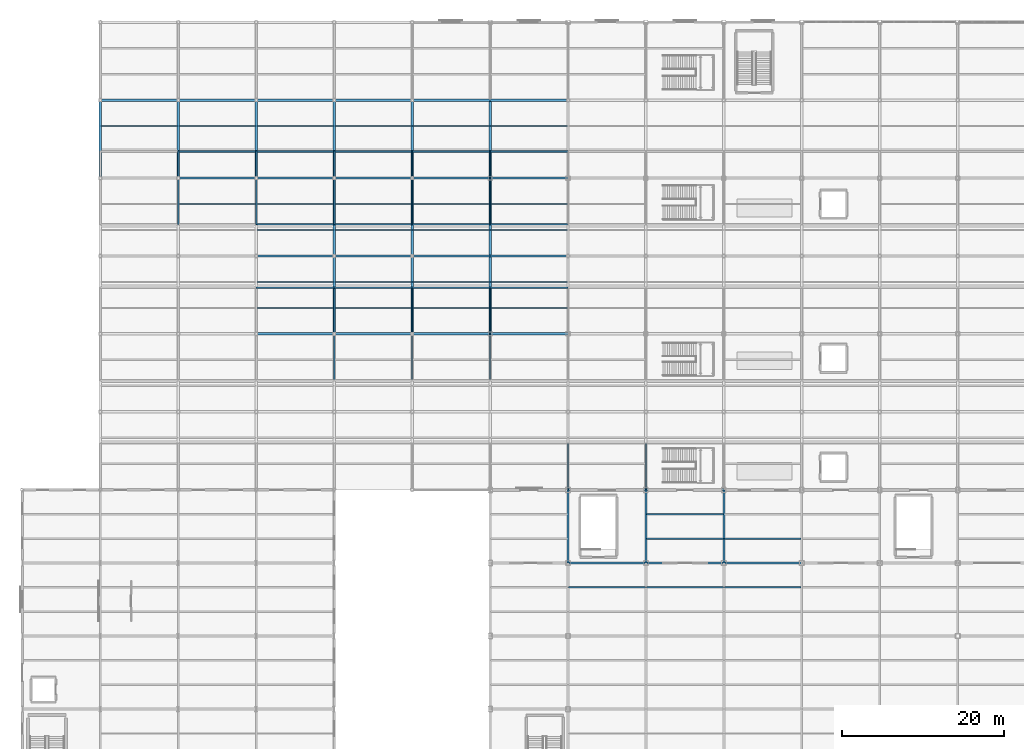
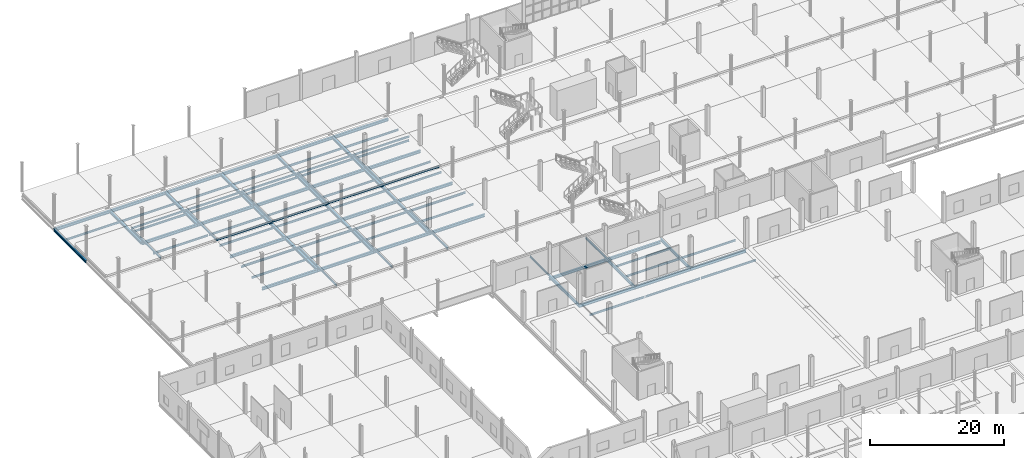
# One storey, part 30 of 85: 96 beams.
"""IFC4 building model written with IfcOpenShell, lengths in metres."""

from ifc_helpers import new_model, si_unit, direction, frame, origin, origin_2d, place, context, subcontext, project, spatial, i_section, extrude, material, material_profile, profile_set, type_object, element, save


model = new_model("IFC4")

# Units and contexts
model_context = context("Model", 3, precision=1e-05, world=origin(), true_north=direction((0.0, 1.0)))
body_context = subcontext(model_context, "Body", "Model", "MODEL_VIEW")
ifc_project = project(units=[si_unit("LENGTHUNIT", "METRE"), si_unit("AREAUNIT", "SQUARE_METRE"), si_unit("VOLUMEUNIT", "CUBIC_METRE"), si_unit("PLANEANGLEUNIT", "RADIAN"), si_unit("MASSUNIT", "GRAM", prefix="KILO")], contexts=[model_context])

# Site, building, storey
site_placement = place(None, origin())
site = spatial("IfcSite", under=ifc_project, at=site_placement, CompositionType="ELEMENT")
building_placement = place(site_placement, origin())
building = spatial("IfcBuilding", under=site, at=building_placement, Name="Zarnetskaya Central Station", CompositionType="ELEMENT")
storey_placement = place(building_placement, origin())
storey = spatial("IfcBuildingStorey", under=building, at=storey_placement, Name="L00", CompositionType="ELEMENT", Elevation=0.0)

# Beams
ifc_material = material(Name="Steel S355", Category="steel")
ifc_material_profile_1 = material_profile(ifc_material, i_section(OverallWidth=0.159912109375, OverallDepth=0.330078125, WebThickness=0.007568359375, FlangeThickness=0.011474609375, FilletRadius=0.01806640625, at=origin_2d()), Name="IPE 330")
ifc_profile_set_1 = profile_set([ifc_material_profile_1], Name="Steel S355")
beam_type_1 = type_object("IfcBeamType", Name="BM-SEC-330", PredefinedType="BEAM", material=ifc_profile_set_1)
for number, where, z_axis, x_axis, name in (
    (1, (67.199951171875, 67.199951171875, -0.465087890625), (0.0, 1.0, 0.0), (-1.0, 0.0, 0.0), "Platform transverse bearer GY-PLT-P1-H"),
    (2, (76.800048828125, 67.199951171875, -0.465087890625), (0.0, 1.0, 0.0), (-1.0, 0.0, 0.0), "Platform transverse bearer GY-PLT-P1-J"),
):
    element("IfcBeam", number, at=place(storey_placement, frame(where, z_axis=z_axis, x_axis=x_axis)), inside=storey, type_object=beam_type_1, Name=name, PredefinedType="BEAM", context=body_context, shape_type="SweptSolid", body=[
        extrude(i_section(OverallWidth=0.159912109375, OverallDepth=0.330078125, WebThickness=0.007568359375, FlangeThickness=0.011474609375, FilletRadius=0.01806640625, at=origin_2d()), origin(), (0.0, 0.0, 1.0), 5.699951171875),
    ])
for number, where, z_axis, x_axis, name in (
    (3, (38.39990234375, 80.699951171875, -0.455078125), (0.0, 1.0, 0.0), (-1.0, 0.0, 0.0), "Platform transverse bearer GY-PLT-P2-E"),
    (4, (48.0, 80.699951171875, -0.465087890625), (0.0, 1.0, 0.0), (-1.0, 0.0, 0.0), "Platform transverse bearer GY-PLT-P2-F"),
    (5, (57.60009765625, 80.699951171875, -0.465087890625), (0.0, 1.0, 0.0), (-1.0, 0.0, 0.0), "Platform transverse bearer GY-PLT-P2-G"),
):
    element("IfcBeam", number, at=place(storey_placement, frame(where, z_axis=z_axis, x_axis=x_axis)), inside=storey, type_object=beam_type_1, Name=name, PredefinedType="BEAM", context=body_context, shape_type="SweptSolid", body=[
        extrude(i_section(OverallWidth=0.159912109375, OverallDepth=0.330078125, WebThickness=0.007568359375, FlangeThickness=0.011474609375, FilletRadius=0.01806640625, at=origin_2d()), origin(), (0.0, 0.0, 1.0), 11.400146484375),
    ])
beam_1_placement = place(storey_placement, frame((28.800048828125, 92.10009765625, -0.455078125), z_axis=(1.0, 0.0, 0.0), x_axis=(0.0, 1.0, 0.0)))
element("IfcBeam", 6, at=beam_1_placement, inside=storey, type_object=beam_type_1, Name="Platform north edge beam GX-PLT-P2-DE-N", PredefinedType="BEAM", context=body_context, shape_type="SweptSolid", body=[
    extrude(i_section(OverallWidth=0.159912109375, OverallDepth=0.330078125, WebThickness=0.007568359375, FlangeThickness=0.011474609375, FilletRadius=0.01806640625, at=origin_2d()), origin(), (0.0, 0.0, 1.0), 9.599853515625),
])
for number, where, z_axis, x_axis, name in (
    (7, (38.39990234375, 92.10009765625, -0.455078125), (1.0, 0.0, 0.0), (0.0, 1.0, 0.0), "Platform north edge beam GX-PLT-P2-EF-N"),
    (8, (48.0, 92.10009765625, -0.465087890625), (1.0, 0.0, 0.0), (0.0, 1.0, 0.0), "Platform north edge beam GX-PLT-P2-FG-N"),
):
    element("IfcBeam", number, at=place(storey_placement, frame(where, z_axis=z_axis, x_axis=x_axis)), inside=storey, type_object=beam_type_1, Name=name, PredefinedType="BEAM", context=body_context, shape_type="SweptSolid", body=[
        extrude(i_section(OverallWidth=0.159912109375, OverallDepth=0.330078125, WebThickness=0.007568359375, FlangeThickness=0.011474609375, FilletRadius=0.01806640625, at=origin_2d()), origin(), (0.0, 0.0, 1.0), 9.60009765625),
    ])
beam_2_placement = place(storey_placement, frame((57.60009765625, 92.10009765625, -0.465087890625), z_axis=(1.0, 0.0, 0.0), x_axis=(0.0, 1.0, 0.0)))
element("IfcBeam", 9, at=beam_2_placement, inside=storey, type_object=beam_type_1, Name="Platform north edge beam GX-PLT-P2-GH-N", PredefinedType="BEAM", context=body_context, shape_type="SweptSolid", body=[
    extrude(i_section(OverallWidth=0.159912109375, OverallDepth=0.330078125, WebThickness=0.007568359375, FlangeThickness=0.011474609375, FilletRadius=0.01806640625, at=origin_2d()), origin(), (0.0, 0.0, 1.0), 9.599853515625),
])
for number, where, z_axis, x_axis, name in (
    (10, (19.199951171875, 99.89990234375, -0.455078125), (0.0, 1.0, 0.0), (-1.0, 0.0, 0.0), "Platform transverse bearer GY-PLT-P3-C"),
    (11, (28.800048828125, 99.89990234375, -0.455078125), (0.0, 1.0, 0.0), (-1.0, 0.0, 0.0), "Platform transverse bearer GY-PLT-P3-D"),
    (12, (38.39990234375, 99.89990234375, -0.455078125), (0.0, 1.0, 0.0), (-1.0, 0.0, 0.0), "Platform transverse bearer GY-PLT-P3-E"),
    (13, (48.0, 99.89990234375, -0.465087890625), (0.0, 1.0, 0.0), (-1.0, 0.0, 0.0), "Platform transverse bearer GY-PLT-P3-F"),
    (14, (57.60009765625, 99.89990234375, -0.465087890625), (0.0, 1.0, 0.0), (-1.0, 0.0, 0.0), "Platform transverse bearer GY-PLT-P3-G"),
):
    element("IfcBeam", number, at=place(storey_placement, frame(where, z_axis=z_axis, x_axis=x_axis)), inside=storey, type_object=beam_type_1, Name=name, PredefinedType="BEAM", context=body_context, shape_type="SweptSolid", body=[
        extrude(i_section(OverallWidth=0.159912109375, OverallDepth=0.330078125, WebThickness=0.007568359375, FlangeThickness=0.011474609375, FilletRadius=0.01806640625, at=origin_2d()), origin(), (0.0, 0.0, 1.0), 9.0),
    ])
beam_3_placement = place(storey_placement, frame((19.199951171875, 108.89990234375, -0.455078125), z_axis=(1.0, 0.0, 0.0), x_axis=(0.0, 1.0, 0.0)))
element("IfcBeam", 15, at=beam_3_placement, inside=storey, type_object=beam_type_1, Name="Platform north edge beam GX-PLT-P3-CD-N", PredefinedType="BEAM", context=body_context, shape_type="SweptSolid", body=[
    extrude(i_section(OverallWidth=0.159912109375, OverallDepth=0.330078125, WebThickness=0.007568359375, FlangeThickness=0.011474609375, FilletRadius=0.01806640625, at=origin_2d()), origin(), (0.0, 0.0, 1.0), 9.60009765625),
])
for number, where, z_axis, x_axis, name in (
    (16, (28.800048828125, 99.89990234375, -0.455078125), (1.0, 0.0, 0.0), (0.0, 1.0, 0.0), "Platform south edge beam GX-PLT-P3-DE-S"),
    (17, (28.800048828125, 108.89990234375, -0.455078125), (1.0, 0.0, 0.0), (0.0, 1.0, 0.0), "Platform north edge beam GX-PLT-P3-DE-N"),
):
    element("IfcBeam", number, at=place(storey_placement, frame(where, z_axis=z_axis, x_axis=x_axis)), inside=storey, type_object=beam_type_1, Name=name, PredefinedType="BEAM", context=body_context, shape_type="SweptSolid", body=[
        extrude(i_section(OverallWidth=0.159912109375, OverallDepth=0.330078125, WebThickness=0.007568359375, FlangeThickness=0.011474609375, FilletRadius=0.01806640625, at=origin_2d()), origin(), (0.0, 0.0, 1.0), 9.599853515625),
    ])
for number, where, z_axis, x_axis, name in (
    (18, (38.39990234375, 99.89990234375, -0.455078125), (1.0, 0.0, 0.0), (0.0, 1.0, 0.0), "Platform south edge beam GX-PLT-P3-EF-S"),
    (19, (38.39990234375, 108.89990234375, -0.455078125), (1.0, 0.0, 0.0), (0.0, 1.0, 0.0), "Platform north edge beam GX-PLT-P3-EF-N"),
    (20, (48.0, 99.89990234375, -0.465087890625), (1.0, 0.0, 0.0), (0.0, 1.0, 0.0), "Platform south edge beam GX-PLT-P3-FG-S"),
    (21, (48.0, 108.89990234375, -0.465087890625), (1.0, 0.0, 0.0), (0.0, 1.0, 0.0), "Platform north edge beam GX-PLT-P3-FG-N"),
):
    element("IfcBeam", number, at=place(storey_placement, frame(where, z_axis=z_axis, x_axis=x_axis)), inside=storey, type_object=beam_type_1, Name=name, PredefinedType="BEAM", context=body_context, shape_type="SweptSolid", body=[
        extrude(i_section(OverallWidth=0.159912109375, OverallDepth=0.330078125, WebThickness=0.007568359375, FlangeThickness=0.011474609375, FilletRadius=0.01806640625, at=origin_2d()), origin(), (0.0, 0.0, 1.0), 9.60009765625),
    ])
for number, where, z_axis, x_axis, name in (
    (22, (57.60009765625, 99.89990234375, -0.465087890625), (1.0, 0.0, 0.0), (0.0, 1.0, 0.0), "Platform south edge beam GX-PLT-P3-GH-S"),
    (23, (57.60009765625, 108.89990234375, -0.465087890625), (1.0, 0.0, 0.0), (0.0, 1.0, 0.0), "Platform north edge beam GX-PLT-P3-GH-N"),
):
    element("IfcBeam", number, at=place(storey_placement, frame(where, z_axis=z_axis, x_axis=x_axis)), inside=storey, type_object=beam_type_1, Name=name, PredefinedType="BEAM", context=body_context, shape_type="SweptSolid", body=[
        extrude(i_section(OverallWidth=0.159912109375, OverallDepth=0.330078125, WebThickness=0.007568359375, FlangeThickness=0.011474609375, FilletRadius=0.01806640625, at=origin_2d()), origin(), (0.0, 0.0, 1.0), 9.599853515625),
    ])
ifc_material_profile_2 = material_profile(ifc_material, i_section(OverallWidth=0.169921875, OverallDepth=0.360107421875, WebThickness=0.008056640625, FlangeThickness=0.0126953125, FilletRadius=0.01806640625, at=origin_2d()), Name="IPE 360")
ifc_profile_set_2 = profile_set([ifc_material_profile_2], Name="Steel S355")
beam_type_2 = type_object("IfcBeamType", Name="BM-SEC-360", PredefinedType="BEAM", material=ifc_profile_set_2)
beam_4_placement = place(storey_placement, frame((67.280029296875, 55.199951171875, -0.5), z_axis=(1.0, 0.0, 0.0), x_axis=(0.0, 1.0, 0.0)))
element("IfcBeam", 24, at=beam_4_placement, inside=storey, type_object=beam_type_2, Name="Secondary floor beam SEC-L00-Z32-HJ-78-2", PredefinedType="BEAM", context=body_context, shape_type="SweptSolid", body=[
    extrude(i_section(OverallWidth=0.169921875, OverallDepth=0.360107421875, WebThickness=0.008056640625, FlangeThickness=0.0126953125, FilletRadius=0.01806640625, at=origin_2d()), origin(), (0.0, 0.0, 1.0), 9.43994140625),
])
for number, where, z_axis, x_axis, name in (
    (25, (76.8798828125, 55.199951171875, -0.5), (1.0, 0.0, 0.0), (0.0, 1.0, 0.0), "Secondary floor beam SEC-L00-Z32-JK-78-2"),
    (26, (76.8798828125, 61.199951171875, -0.5), (1.0, 0.0, 0.0), (0.0, 1.0, 0.0), "Secondary floor beam SEC-L00-Z32-JK-89-1"),
    (27, (76.8798828125, 64.199951171875, -0.5), (1.0, 0.0, 0.0), (0.0, 1.0, 0.0), "Secondary floor beam SEC-L00-Z32-JK-89-2"),
):
    element("IfcBeam", number, at=place(storey_placement, frame(where, z_axis=z_axis, x_axis=x_axis)), inside=storey, type_object=beam_type_2, Name=name, PredefinedType="BEAM", context=body_context, shape_type="SweptSolid", body=[
        extrude(i_section(OverallWidth=0.169921875, OverallDepth=0.360107421875, WebThickness=0.008056640625, FlangeThickness=0.0126953125, FilletRadius=0.01806640625, at=origin_2d()), origin(), (0.0, 0.0, 1.0), 9.440185546875),
    ])
for number, where, z_axis, x_axis, name in (
    (28, (86.47998046875, 55.199951171875, -0.5), (1.0, 0.0, 0.0), (0.0, 1.0, 0.0), "Secondary floor beam SEC-L00-Z32-KL-78-2"),
    (29, (86.47998046875, 61.199951171875, -0.5), (1.0, 0.0, 0.0), (0.0, 1.0, 0.0), "Secondary floor beam SEC-L00-Z32-KL-89-1"),
):
    element("IfcBeam", number, at=place(storey_placement, frame(where, z_axis=z_axis, x_axis=x_axis)), inside=storey, type_object=beam_type_2, Name=name, PredefinedType="BEAM", context=body_context, shape_type="SweptSolid", body=[
        extrude(i_section(OverallWidth=0.169921875, OverallDepth=0.360107421875, WebThickness=0.008056640625, FlangeThickness=0.0126953125, FilletRadius=0.01806640625, at=origin_2d()), origin(), (0.0, 0.0, 1.0), 9.43994140625),
    ])
beam_5_placement = place(storey_placement, frame((9.679931640625, 112.0, -1.090087890625), z_axis=(1.0, 0.0, 0.0), x_axis=(0.0, 1.0, 0.0)))
element("IfcBeam", 30, at=beam_5_placement, inside=storey, type_object=beam_type_2, Name="Secondary floor beam SEC-L00-Z91-BC-1314-2", PredefinedType="BEAM", context=body_context, shape_type="SweptSolid", body=[
    extrude(i_section(OverallWidth=0.169921875, OverallDepth=0.360107421875, WebThickness=0.008056640625, FlangeThickness=0.0126953125, FilletRadius=0.01806640625, at=origin_2d()), origin(), (0.0, 0.0, 1.0), 9.440185546875),
])
for number, where, z_axis, x_axis, name in (
    (31, (19.280029296875, 102.39990234375, -1.090087890625), (1.0, 0.0, 0.0), (0.0, 1.0, 0.0), "Secondary floor beam SEC-L00-Z91-CD-1213-2"),
    (32, (19.280029296875, 108.800048828125, -1.090087890625), (1.0, 0.0, 0.0), (0.0, 1.0, 0.0), "Secondary floor beam SEC-L00-Z91-CD-1314-1"),
    (33, (19.280029296875, 112.0, -1.090087890625), (1.0, 0.0, 0.0), (0.0, 1.0, 0.0), "Secondary floor beam SEC-L00-Z91-CD-1314-2"),
):
    element("IfcBeam", number, at=place(storey_placement, frame(where, z_axis=z_axis, x_axis=x_axis)), inside=storey, type_object=beam_type_2, Name=name, PredefinedType="BEAM", context=body_context, shape_type="SweptSolid", body=[
        extrude(i_section(OverallWidth=0.169921875, OverallDepth=0.360107421875, WebThickness=0.008056640625, FlangeThickness=0.0126953125, FilletRadius=0.01806640625, at=origin_2d()), origin(), (0.0, 0.0, 1.0), 9.43994140625),
    ])
for number, where, z_axis, x_axis, name in (
    (34, (28.8798828125, 89.60009765625, -1.090087890625), (1.0, 0.0, 0.0), (0.0, 1.0, 0.0), "Secondary floor beam SEC-L00-Z91-DE-1112-1"),
    (35, (28.8798828125, 92.800048828125, -1.090087890625), (1.0, 0.0, 0.0), (0.0, 1.0, 0.0), "Secondary floor beam SEC-L00-Z91-DE-1112-2"),
    (36, (28.8798828125, 99.199951171875, -1.090087890625), (1.0, 0.0, 0.0), (0.0, 1.0, 0.0), "Secondary floor beam SEC-L00-Z91-DE-1213-1"),
    (37, (28.8798828125, 102.39990234375, -1.090087890625), (1.0, 0.0, 0.0), (0.0, 1.0, 0.0), "Secondary floor beam SEC-L00-Z91-DE-1213-2"),
    (38, (28.8798828125, 108.800048828125, -1.090087890625), (1.0, 0.0, 0.0), (0.0, 1.0, 0.0), "Secondary floor beam SEC-L00-Z91-DE-1314-1"),
    (39, (28.8798828125, 112.0, -1.090087890625), (1.0, 0.0, 0.0), (0.0, 1.0, 0.0), "Secondary floor beam SEC-L00-Z91-DE-1314-2"),
):
    element("IfcBeam", number, at=place(storey_placement, frame(where, z_axis=z_axis, x_axis=x_axis)), inside=storey, type_object=beam_type_2, Name=name, PredefinedType="BEAM", context=body_context, shape_type="SweptSolid", body=[
        extrude(i_section(OverallWidth=0.169921875, OverallDepth=0.360107421875, WebThickness=0.008056640625, FlangeThickness=0.0126953125, FilletRadius=0.01806640625, at=origin_2d()), origin(), (0.0, 0.0, 1.0), 9.440185546875),
    ])
for number, where, z_axis, x_axis, name in (
    (40, (38.47998046875, 89.60009765625, -1.090087890625), (1.0, 0.0, 0.0), (0.0, 1.0, 0.0), "Secondary floor beam SEC-L00-Z91-EF-1112-1"),
    (41, (38.47998046875, 92.800048828125, -1.090087890625), (1.0, 0.0, 0.0), (0.0, 1.0, 0.0), "Secondary floor beam SEC-L00-Z91-EF-1112-2"),
    (42, (38.47998046875, 99.199951171875, -1.090087890625), (1.0, 0.0, 0.0), (0.0, 1.0, 0.0), "Secondary floor beam SEC-L00-Z91-EF-1213-1"),
    (43, (38.47998046875, 102.39990234375, -1.090087890625), (1.0, 0.0, 0.0), (0.0, 1.0, 0.0), "Secondary floor beam SEC-L00-Z91-EF-1213-2"),
    (44, (38.47998046875, 108.800048828125, -1.090087890625), (1.0, 0.0, 0.0), (0.0, 1.0, 0.0), "Secondary floor beam SEC-L00-Z91-EF-1314-1"),
    (45, (38.47998046875, 112.0, -1.090087890625), (1.0, 0.0, 0.0), (0.0, 1.0, 0.0), "Secondary floor beam SEC-L00-Z91-EF-1314-2"),
    (46, (48.080078125, 89.60009765625, -1.090087890625), (1.0, 0.0, 0.0), (0.0, 1.0, 0.0), "Secondary floor beam SEC-L00-Z91-FG-1112-1"),
    (47, (48.080078125, 92.800048828125, -1.090087890625), (1.0, 0.0, 0.0), (0.0, 1.0, 0.0), "Secondary floor beam SEC-L00-Z91-FG-1112-2"),
    (48, (48.080078125, 99.199951171875, -1.090087890625), (1.0, 0.0, 0.0), (0.0, 1.0, 0.0), "Secondary floor beam SEC-L00-Z91-FG-1213-1"),
    (49, (48.080078125, 102.39990234375, -1.090087890625), (1.0, 0.0, 0.0), (0.0, 1.0, 0.0), "Secondary floor beam SEC-L00-Z91-FG-1213-2"),
    (50, (48.080078125, 108.800048828125, -1.090087890625), (1.0, 0.0, 0.0), (0.0, 1.0, 0.0), "Secondary floor beam SEC-L00-Z91-FG-1314-1"),
    (51, (48.080078125, 112.0, -1.090087890625), (1.0, 0.0, 0.0), (0.0, 1.0, 0.0), "Secondary floor beam SEC-L00-Z91-FG-1314-2"),
):
    element("IfcBeam", number, at=place(storey_placement, frame(where, z_axis=z_axis, x_axis=x_axis)), inside=storey, type_object=beam_type_2, Name=name, PredefinedType="BEAM", context=body_context, shape_type="SweptSolid", body=[
        extrude(i_section(OverallWidth=0.169921875, OverallDepth=0.360107421875, WebThickness=0.008056640625, FlangeThickness=0.0126953125, FilletRadius=0.01806640625, at=origin_2d()), origin(), (0.0, 0.0, 1.0), 9.43994140625),
    ])
for number, where, z_axis, x_axis, name in (
    (52, (57.679931640625, 89.60009765625, -1.090087890625), (1.0, 0.0, 0.0), (0.0, 1.0, 0.0), "Secondary floor beam SEC-L00-Z91-GH-1112-1"),
    (53, (57.679931640625, 92.800048828125, -1.090087890625), (1.0, 0.0, 0.0), (0.0, 1.0, 0.0), "Secondary floor beam SEC-L00-Z91-GH-1112-2"),
    (54, (57.679931640625, 99.199951171875, -1.090087890625), (1.0, 0.0, 0.0), (0.0, 1.0, 0.0), "Secondary floor beam SEC-L00-Z91-GH-1213-1"),
    (55, (57.679931640625, 102.39990234375, -1.090087890625), (1.0, 0.0, 0.0), (0.0, 1.0, 0.0), "Secondary floor beam SEC-L00-Z91-GH-1213-2"),
    (56, (57.679931640625, 108.800048828125, -1.090087890625), (1.0, 0.0, 0.0), (0.0, 1.0, 0.0), "Secondary floor beam SEC-L00-Z91-GH-1314-1"),
    (57, (57.679931640625, 112.0, -1.090087890625), (1.0, 0.0, 0.0), (0.0, 1.0, 0.0), "Secondary floor beam SEC-L00-Z91-GH-1314-2"),
):
    element("IfcBeam", number, at=place(storey_placement, frame(where, z_axis=z_axis, x_axis=x_axis)), inside=storey, type_object=beam_type_2, Name=name, PredefinedType="BEAM", context=body_context, shape_type="SweptSolid", body=[
        extrude(i_section(OverallWidth=0.169921875, OverallDepth=0.360107421875, WebThickness=0.008056640625, FlangeThickness=0.0126953125, FilletRadius=0.01806640625, at=origin_2d()), origin(), (0.0, 0.0, 1.0), 9.440185546875),
    ])
ifc_material_profile_3 = material_profile(ifc_material, i_section(OverallWidth=0.2099609375, OverallDepth=0.550048828125, WebThickness=0.010986328125, FlangeThickness=0.01708984375, FilletRadius=0.02392578125, at=origin_2d()), Name="IPE 550")
ifc_profile_set_3 = profile_set([ifc_material_profile_3], Name="Steel S355")
beam_type_3 = type_object("IfcBeamType", Name="GD-FLR-550", PredefinedType="USERDEFINED", material=ifc_profile_set_3)
for number, where, z_axis, x_axis, name in (
    (58, (67.199951171875, 58.199951171875, -0.594970703125), (0.0, 1.0, 0.0), (-1.0, 0.0, 0.0), "Grid girder GY-L00-H-89"),
    (59, (76.800048828125, 58.199951171875, -0.594970703125), (0.0, 1.0, 0.0), (-1.0, 0.0, 0.0), "Grid girder GY-L00-J-89"),
    (60, (86.39990234375, 58.199951171875, -0.594970703125), (0.0, 1.0, 0.0), (-1.0, 0.0, 0.0), "Grid girder GY-L00-K-89"),
):
    element("IfcBeam", number, at=place(storey_placement, frame(where, z_axis=z_axis, x_axis=x_axis)), inside=storey, type_object=beam_type_3, Name=name, ObjectType="GIRDER", PredefinedType="USERDEFINED", context=body_context, shape_type="SweptSolid", body=[
        extrude(i_section(OverallWidth=0.2099609375, OverallDepth=0.550048828125, WebThickness=0.010986328125, FlangeThickness=0.01708984375, FilletRadius=0.02392578125, at=origin_2d()), origin(), (0.0, 0.0, 1.0), 9.0),
    ])
ifc_material_profile_4 = material_profile(ifc_material, i_section(OverallWidth=0.219970703125, OverallDepth=0.60009765625, WebThickness=0.011962890625, FlangeThickness=0.01904296875, FilletRadius=0.02392578125, at=origin_2d()), Name="IPE 600")
ifc_profile_set_4 = profile_set([ifc_material_profile_4], Name="Steel S355")
beam_type_4 = type_object("IfcBeamType", Name="GD-FLR-600", PredefinedType="USERDEFINED", material=ifc_profile_set_4)
beam_6_placement = place(storey_placement, frame((67.199951171875, 58.199951171875, -0.6201171875), z_axis=(1.0, 0.0, 0.0), x_axis=(0.0, 1.0, 0.0)))
element("IfcBeam", 61, at=beam_6_placement, inside=storey, type_object=beam_type_4, Name="Grid girder GX-L00-8-HJ", ObjectType="GIRDER", PredefinedType="USERDEFINED", context=body_context, shape_type="SweptSolid", body=[
    extrude(i_section(OverallWidth=0.219970703125, OverallDepth=0.60009765625, WebThickness=0.011962890625, FlangeThickness=0.01904296875, FilletRadius=0.02392578125, at=origin_2d()), origin(), (0.0, 0.0, 1.0), 9.60009765625),
])
beam_7_placement = place(storey_placement, frame((76.800048828125, 58.199951171875, -0.6201171875), z_axis=(1.0, 0.0, 0.0), x_axis=(0.0, 1.0, 0.0)))
element("IfcBeam", 62, at=beam_7_placement, inside=storey, type_object=beam_type_4, Name="Grid girder GX-L00-8-JK", ObjectType="GIRDER", PredefinedType="USERDEFINED", context=body_context, shape_type="SweptSolid", body=[
    extrude(i_section(OverallWidth=0.219970703125, OverallDepth=0.60009765625, WebThickness=0.011962890625, FlangeThickness=0.01904296875, FilletRadius=0.02392578125, at=origin_2d()), origin(), (0.0, 0.0, 1.0), 9.599853515625),
])
beam_8_placement = place(storey_placement, frame((86.39990234375, 58.199951171875, -0.6201171875), z_axis=(1.0, 0.0, 0.0), x_axis=(0.0, 1.0, 0.0)))
element("IfcBeam", 63, at=beam_8_placement, inside=storey, type_object=beam_type_4, Name="Grid girder GX-L00-8-KL", ObjectType="GIRDER", PredefinedType="USERDEFINED", context=body_context, shape_type="SweptSolid", body=[
    extrude(i_section(OverallWidth=0.219970703125, OverallDepth=0.60009765625, WebThickness=0.011962890625, FlangeThickness=0.01904296875, FilletRadius=0.02392578125, at=origin_2d()), origin(), (0.0, 0.0, 1.0), 9.60009765625),
])
ifc_material_profile_5 = material_profile(ifc_material, i_section(OverallWidth=0.300048828125, OverallDepth=0.449951171875, WebThickness=0.013916015625, FlangeThickness=0.02587890625, FilletRadius=0.027099609375, at=origin_2d()), Name="HEB 450")
ifc_profile_set_5 = profile_set([ifc_material_profile_5], Name="Steel S355")
beam_type_5 = type_object("IfcBeamType", Name="GD-SUB-450", PredefinedType="USERDEFINED", material=ifc_profile_set_5)
for number, where, z_axis, x_axis, name in (
    (64, (9.60009765625, 105.60009765625, -1.135009765625), (0.0, 1.0, 0.0), (-1.0, 0.0, 0.0), "Grid girder GY-L00-B-1314"),
    (65, (19.199951171875, 105.60009765625, -1.135009765625), (0.0, 1.0, 0.0), (-1.0, 0.0, 0.0), "Grid girder GY-L00-C-1314"),
    (66, (28.800048828125, 105.60009765625, -1.135009765625), (0.0, 1.0, 0.0), (-1.0, 0.0, 0.0), "Grid girder GY-L00-D-1314"),
):
    element("IfcBeam", number, at=place(storey_placement, frame(where, z_axis=z_axis, x_axis=x_axis)), inside=storey, type_object=beam_type_5, Name=name, ObjectType="GIRDER", PredefinedType="USERDEFINED", context=body_context, shape_type="SweptSolid", body=[
        extrude(i_section(OverallWidth=0.300048828125, OverallDepth=0.449951171875, WebThickness=0.013916015625, FlangeThickness=0.02587890625, FilletRadius=0.027099609375, at=origin_2d()), origin(), (0.0, 0.0, 1.0), 9.599853515625),
    ])
for number, where, z_axis, x_axis, name in (
    (67, (38.39990234375, 86.39990234375, -1.135009765625), (0.0, 1.0, 0.0), (-1.0, 0.0, 0.0), "Grid girder GY-L00-E-1112"),
    (68, (38.39990234375, 96.0, -1.135009765625), (0.0, 1.0, 0.0), (-1.0, 0.0, 0.0), "Grid girder GY-L00-E-1213"),
):
    element("IfcBeam", number, at=place(storey_placement, frame(where, z_axis=z_axis, x_axis=x_axis)), inside=storey, type_object=beam_type_5, Name=name, ObjectType="GIRDER", PredefinedType="USERDEFINED", context=body_context, shape_type="SweptSolid", body=[
        extrude(i_section(OverallWidth=0.300048828125, OverallDepth=0.449951171875, WebThickness=0.013916015625, FlangeThickness=0.02587890625, FilletRadius=0.027099609375, at=origin_2d()), origin(), (0.0, 0.0, 1.0), 9.60009765625),
    ])
beam_9_placement = place(storey_placement, frame((38.39990234375, 105.60009765625, -1.135009765625), z_axis=(0.0, 1.0, 0.0), x_axis=(-1.0, 0.0, 0.0)))
element("IfcBeam", 69, at=beam_9_placement, inside=storey, type_object=beam_type_5, Name="Grid girder GY-L00-E-1314", ObjectType="GIRDER", PredefinedType="USERDEFINED", context=body_context, shape_type="SweptSolid", body=[
    extrude(i_section(OverallWidth=0.300048828125, OverallDepth=0.449951171875, WebThickness=0.013916015625, FlangeThickness=0.02587890625, FilletRadius=0.027099609375, at=origin_2d()), origin(), (0.0, 0.0, 1.0), 9.599853515625),
])
for number, where, z_axis, x_axis, name in (
    (70, (48.0, 86.39990234375, -1.135009765625), (0.0, 1.0, 0.0), (-1.0, 0.0, 0.0), "Grid girder GY-L00-F-1112"),
    (71, (48.0, 96.0, -1.135009765625), (0.0, 1.0, 0.0), (-1.0, 0.0, 0.0), "Grid girder GY-L00-F-1213"),
):
    element("IfcBeam", number, at=place(storey_placement, frame(where, z_axis=z_axis, x_axis=x_axis)), inside=storey, type_object=beam_type_5, Name=name, ObjectType="GIRDER", PredefinedType="USERDEFINED", context=body_context, shape_type="SweptSolid", body=[
        extrude(i_section(OverallWidth=0.300048828125, OverallDepth=0.449951171875, WebThickness=0.013916015625, FlangeThickness=0.02587890625, FilletRadius=0.027099609375, at=origin_2d()), origin(), (0.0, 0.0, 1.0), 9.60009765625),
    ])
beam_10_placement = place(storey_placement, frame((48.0, 105.60009765625, -1.135009765625), z_axis=(0.0, 1.0, 0.0), x_axis=(-1.0, 0.0, 0.0)))
element("IfcBeam", 72, at=beam_10_placement, inside=storey, type_object=beam_type_5, Name="Grid girder GY-L00-F-1314", ObjectType="GIRDER", PredefinedType="USERDEFINED", context=body_context, shape_type="SweptSolid", body=[
    extrude(i_section(OverallWidth=0.300048828125, OverallDepth=0.449951171875, WebThickness=0.013916015625, FlangeThickness=0.02587890625, FilletRadius=0.027099609375, at=origin_2d()), origin(), (0.0, 0.0, 1.0), 9.599853515625),
])
for number, where, z_axis, x_axis, name in (
    (73, (57.60009765625, 86.39990234375, -1.135009765625), (0.0, 1.0, 0.0), (-1.0, 0.0, 0.0), "Grid girder GY-L00-G-1112"),
    (74, (57.60009765625, 96.0, -1.135009765625), (0.0, 1.0, 0.0), (-1.0, 0.0, 0.0), "Grid girder GY-L00-G-1213"),
):
    element("IfcBeam", number, at=place(storey_placement, frame(where, z_axis=z_axis, x_axis=x_axis)), inside=storey, type_object=beam_type_5, Name=name, ObjectType="GIRDER", PredefinedType="USERDEFINED", context=body_context, shape_type="SweptSolid", body=[
        extrude(i_section(OverallWidth=0.300048828125, OverallDepth=0.449951171875, WebThickness=0.013916015625, FlangeThickness=0.02587890625, FilletRadius=0.027099609375, at=origin_2d()), origin(), (0.0, 0.0, 1.0), 9.60009765625),
    ])
beam_11_placement = place(storey_placement, frame((57.60009765625, 105.60009765625, -1.135009765625), z_axis=(0.0, 1.0, 0.0), x_axis=(-1.0, 0.0, 0.0)))
element("IfcBeam", 75, at=beam_11_placement, inside=storey, type_object=beam_type_5, Name="Grid girder GY-L00-G-1314", ObjectType="GIRDER", PredefinedType="USERDEFINED", context=body_context, shape_type="SweptSolid", body=[
    extrude(i_section(OverallWidth=0.300048828125, OverallDepth=0.449951171875, WebThickness=0.013916015625, FlangeThickness=0.02587890625, FilletRadius=0.027099609375, at=origin_2d()), origin(), (0.0, 0.0, 1.0), 9.599853515625),
])
ifc_material_profile_6 = material_profile(ifc_material, i_section(OverallWidth=0.300048828125, OverallDepth=0.5, WebThickness=0.014404296875, FlangeThickness=0.028076171875, FilletRadius=0.027099609375, at=origin_2d()), Name="HEB 500")
ifc_profile_set_6 = profile_set([ifc_material_profile_6], Name="Steel S355")
beam_type_6 = type_object("IfcBeamType", Name="GD-SUB-500", PredefinedType="USERDEFINED", material=ifc_profile_set_6)
beam_12_placement = place(storey_placement, frame((9.60009765625, 115.199951171875, -1.159912109375), z_axis=(1.0, 0.0, 0.0), x_axis=(0.0, 1.0, 0.0)))
element("IfcBeam", 76, at=beam_12_placement, inside=storey, type_object=beam_type_6, Name="Grid girder GX-L00-14-BC", ObjectType="GIRDER", PredefinedType="USERDEFINED", context=body_context, shape_type="SweptSolid", body=[
    extrude(i_section(OverallWidth=0.300048828125, OverallDepth=0.5, WebThickness=0.014404296875, FlangeThickness=0.028076171875, FilletRadius=0.027099609375, at=origin_2d()), origin(), (0.0, 0.0, 1.0), 9.599853515625),
])
for number, where, z_axis, x_axis, name in (
    (77, (19.199951171875, 105.60009765625, -1.159912109375), (1.0, 0.0, 0.0), (0.0, 1.0, 0.0), "Grid girder GX-L00-13-CD"),
    (78, (19.199951171875, 115.199951171875, -1.159912109375), (1.0, 0.0, 0.0), (0.0, 1.0, 0.0), "Grid girder GX-L00-14-CD"),
):
    element("IfcBeam", number, at=place(storey_placement, frame(where, z_axis=z_axis, x_axis=x_axis)), inside=storey, type_object=beam_type_6, Name=name, ObjectType="GIRDER", PredefinedType="USERDEFINED", context=body_context, shape_type="SweptSolid", body=[
        extrude(i_section(OverallWidth=0.300048828125, OverallDepth=0.5, WebThickness=0.014404296875, FlangeThickness=0.028076171875, FilletRadius=0.027099609375, at=origin_2d()), origin(), (0.0, 0.0, 1.0), 9.60009765625),
    ])
for number, where, z_axis, x_axis, name in (
    (79, (28.800048828125, 86.39990234375, -1.159912109375), (1.0, 0.0, 0.0), (0.0, 1.0, 0.0), "Grid girder GX-L00-11-DE"),
    (80, (28.800048828125, 96.0, -1.159912109375), (1.0, 0.0, 0.0), (0.0, 1.0, 0.0), "Grid girder GX-L00-12-DE"),
    (81, (28.800048828125, 105.60009765625, -1.159912109375), (1.0, 0.0, 0.0), (0.0, 1.0, 0.0), "Grid girder GX-L00-13-DE"),
    (82, (28.800048828125, 115.199951171875, -1.159912109375), (1.0, 0.0, 0.0), (0.0, 1.0, 0.0), "Grid girder GX-L00-14-DE"),
):
    element("IfcBeam", number, at=place(storey_placement, frame(where, z_axis=z_axis, x_axis=x_axis)), inside=storey, type_object=beam_type_6, Name=name, ObjectType="GIRDER", PredefinedType="USERDEFINED", context=body_context, shape_type="SweptSolid", body=[
        extrude(i_section(OverallWidth=0.300048828125, OverallDepth=0.5, WebThickness=0.014404296875, FlangeThickness=0.028076171875, FilletRadius=0.027099609375, at=origin_2d()), origin(), (0.0, 0.0, 1.0), 9.599853515625),
    ])
for number, where, z_axis, x_axis, name in (
    (83, (38.39990234375, 86.39990234375, -1.159912109375), (1.0, 0.0, 0.0), (0.0, 1.0, 0.0), "Grid girder GX-L00-11-EF"),
    (84, (38.39990234375, 96.0, -1.159912109375), (1.0, 0.0, 0.0), (0.0, 1.0, 0.0), "Grid girder GX-L00-12-EF"),
    (85, (38.39990234375, 105.60009765625, -1.159912109375), (1.0, 0.0, 0.0), (0.0, 1.0, 0.0), "Grid girder GX-L00-13-EF"),
    (86, (38.39990234375, 115.199951171875, -1.159912109375), (1.0, 0.0, 0.0), (0.0, 1.0, 0.0), "Grid girder GX-L00-14-EF"),
    (87, (48.0, 86.39990234375, -1.159912109375), (1.0, 0.0, 0.0), (0.0, 1.0, 0.0), "Grid girder GX-L00-11-FG"),
    (88, (48.0, 96.0, -1.159912109375), (1.0, 0.0, 0.0), (0.0, 1.0, 0.0), "Grid girder GX-L00-12-FG"),
    (89, (48.0, 105.60009765625, -1.159912109375), (1.0, 0.0, 0.0), (0.0, 1.0, 0.0), "Grid girder GX-L00-13-FG"),
    (90, (48.0, 115.199951171875, -1.159912109375), (1.0, 0.0, 0.0), (0.0, 1.0, 0.0), "Grid girder GX-L00-14-FG"),
):
    element("IfcBeam", number, at=place(storey_placement, frame(where, z_axis=z_axis, x_axis=x_axis)), inside=storey, type_object=beam_type_6, Name=name, ObjectType="GIRDER", PredefinedType="USERDEFINED", context=body_context, shape_type="SweptSolid", body=[
        extrude(i_section(OverallWidth=0.300048828125, OverallDepth=0.5, WebThickness=0.014404296875, FlangeThickness=0.028076171875, FilletRadius=0.027099609375, at=origin_2d()), origin(), (0.0, 0.0, 1.0), 9.60009765625),
    ])
for number, where, z_axis, x_axis, name in (
    (91, (57.60009765625, 86.39990234375, -1.159912109375), (1.0, 0.0, 0.0), (0.0, 1.0, 0.0), "Grid girder GX-L00-11-GH"),
    (92, (57.60009765625, 96.0, -1.159912109375), (1.0, 0.0, 0.0), (0.0, 1.0, 0.0), "Grid girder GX-L00-12-GH"),
    (93, (57.60009765625, 105.60009765625, -1.159912109375), (1.0, 0.0, 0.0), (0.0, 1.0, 0.0), "Grid girder GX-L00-13-GH"),
    (94, (57.60009765625, 115.199951171875, -1.159912109375), (1.0, 0.0, 0.0), (0.0, 1.0, 0.0), "Grid girder GX-L00-14-GH"),
):
    element("IfcBeam", number, at=place(storey_placement, frame(where, z_axis=z_axis, x_axis=x_axis)), inside=storey, type_object=beam_type_6, Name=name, ObjectType="GIRDER", PredefinedType="USERDEFINED", context=body_context, shape_type="SweptSolid", body=[
        extrude(i_section(OverallWidth=0.300048828125, OverallDepth=0.5, WebThickness=0.014404296875, FlangeThickness=0.028076171875, FilletRadius=0.027099609375, at=origin_2d()), origin(), (0.0, 0.0, 1.0), 9.599853515625),
    ])
beam_13_placement = place(storey_placement, frame((67.199951171875, 67.199951171875, -1.159912109375), z_axis=(1.0, 0.0, 0.0), x_axis=(0.0, 1.0, 0.0)))
element("IfcBeam", 95, at=beam_13_placement, inside=storey, type_object=beam_type_6, Name="Grid girder GX-L00-9-HJ", ObjectType="GIRDER", PredefinedType="USERDEFINED", context=body_context, shape_type="SweptSolid", body=[
    extrude(i_section(OverallWidth=0.300048828125, OverallDepth=0.5, WebThickness=0.014404296875, FlangeThickness=0.028076171875, FilletRadius=0.027099609375, at=origin_2d()), origin(), (0.0, 0.0, 1.0), 9.60009765625),
])
beam_14_placement = place(storey_placement, frame((76.800048828125, 67.199951171875, -1.159912109375), z_axis=(1.0, 0.0, 0.0), x_axis=(0.0, 1.0, 0.0)))
element("IfcBeam", 96, at=beam_14_placement, inside=storey, type_object=beam_type_6, Name="Grid girder GX-L00-9-JK", ObjectType="GIRDER", PredefinedType="USERDEFINED", context=body_context, shape_type="SweptSolid", body=[
    extrude(i_section(OverallWidth=0.300048828125, OverallDepth=0.5, WebThickness=0.014404296875, FlangeThickness=0.028076171875, FilletRadius=0.027099609375, at=origin_2d()), origin(), (0.0, 0.0, 1.0), 9.599853515625),
])

save(model, "model.ifc")
